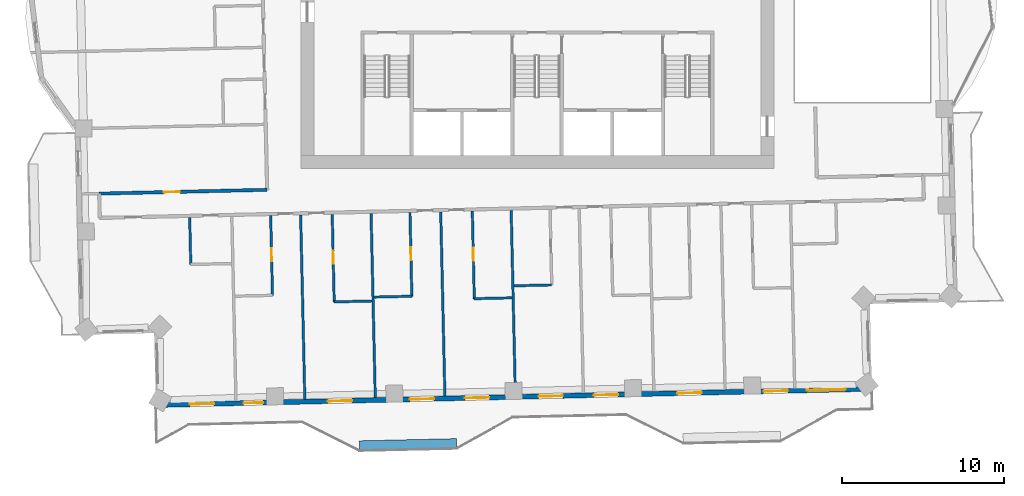
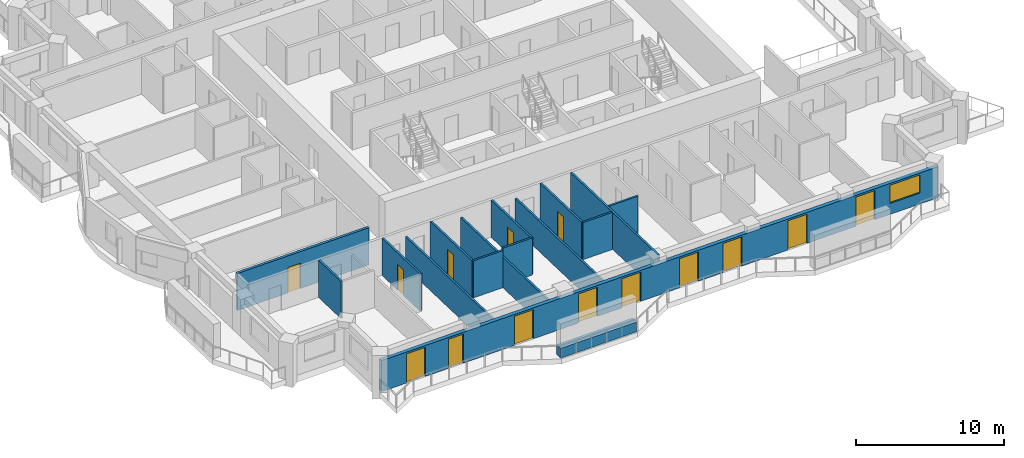
# One storey, part 6 of 17: 16 walls, 14 doors, 1 window, 15 openings.
"""IFC4 building model written with IfcOpenShell, lengths in metres."""

from ifc_helpers import new_model, si_unit, direction, frame, frame_2d, origin, place, context, subcontext, project, spatial, rectangle, extrude, material, layer, layer_set, type_object, element, fill, save


model = new_model("IFC4")

# Units and contexts
model_context = context("Model", 3, precision=1e-05, world=origin(), true_north=direction((0.0, 1.0)))
body_context = subcontext(model_context, "Body", "Model", "MODEL_VIEW")
ifc_project = project(units=[si_unit("LENGTHUNIT", "METRE"), si_unit("AREAUNIT", "SQUARE_METRE"), si_unit("VOLUMEUNIT", "CUBIC_METRE"), si_unit("PLANEANGLEUNIT", "RADIAN"), si_unit("MASSUNIT", "GRAM", prefix="KILO")], contexts=[model_context])

# Site, building, storey
site_placement = place(None, origin())
site = spatial("IfcSite", under=ifc_project, at=site_placement, CompositionType="ELEMENT")
building_placement = place(site_placement, origin())
building = spatial("IfcBuilding", under=site, at=building_placement, Name="Mangrove Gate Tower", CompositionType="ELEMENT")
storey_placement = place(building_placement, frame((0.0, 0.0, 249.10009765625)))
storey = spatial("IfcBuildingStorey", under=building, at=storey_placement, Name="L63", CompositionType="ELEMENT", Elevation=249.10009765625)

# Wall, opening, door
ifc_material_1 = material(Name="Gypsum board on steel stud, EI 60", Category="steel")
ifc_layer_1 = layer(ifc_material_1, 0.199951171875)
ifc_layer_set_1 = layer_set([ifc_layer_1], Name="Corridor wall EI 60")
wall_type_1 = type_object("IfcWallType", Name="Corridor wall EI 60", PredefinedType="PARTITIONING", material=ifc_layer_set_1)
wall_1_placement = place(storey_placement, frame((-27.050048828125, -13.14990234375, 0.0), z_axis=(0.0, 0.0, 1.0), x_axis=(0.999743679035, 0.022640146404, 0.0)))
wall_1 = element("IfcWall", 1, at=wall_1_placement, inside=storey, type_object=wall_type_1, Name="WALL-L63-036", PredefinedType="PARTITIONING", context=body_context, shape_type="SweptSolid", body=[
    extrude(rectangle(XDim=10.373779296875, YDim=0.199951171875, at=frame_2d((5.18701171875, 0.0))), origin(), (0.0, 0.0, 1.0), 3.0498046875),
])
opening_1_placement = place(wall_1_placement, frame((3.987060546875, 0.0, 0.0)))
opening_1 = element("IfcOpeningElement", 2, at=opening_1_placement, cuts=wall_1, Name="Opening AD", PredefinedType="OPENING", context=body_context, shape_type="SweptSolid", body=[
    extrude(rectangle(XDim=1.0, YDim=2.10009765625, at=frame_2d((0.5, 1.050048828125))), frame((0.0, 0.10986328125, 0.0), z_axis=(0.0, -1.0, 0.0), x_axis=(1.0, 0.0, 0.0)), (0.0, 0.0, 1.0), 0.219970703125),
])
ifc_material_2 = material(Name="Timber door leaf", Category="wood")
door_type_1 = type_object("IfcDoorType", Name="Amenity door 1000", OperationType="SINGLE_SWING_LEFT", PredefinedType="DOOR", material=ifc_material_2)
door_1_placement = place(opening_1_placement, origin())
door_1 = element("IfcDoor", 3, at=door_1_placement, inside=storey, type_object=door_type_1, Name="DOOR-L63-KIT-c5d", OperationType="SINGLE_SWING_LEFT", OverallHeight=2.10009765625, OverallWidth=1.0, PredefinedType="DOOR", context=body_context, shape_type="SweptSolid", body=[
    extrude(rectangle(XDim=1.0, YDim=2.10009765625, at=frame_2d((0.5, 1.050048828125))), frame((0.0, 0.02490234375, 0.0), z_axis=(0.0, -1.0, 0.0), x_axis=(1.0, 0.0, 0.0)), (0.0, 0.0, 1.0), 0.050048828125),
])
fill(opening_1, door_1)

# Wall, openings, doors, window
ifc_material_3 = material(Name="Limestone", Category="masonry")
ifc_layer_2 = layer(ifc_material_3, 0.0400390625, Name="Limestone cladding")
ifc_material_4 = material(Name="Ventilated air gap")
ifc_layer_3 = layer(ifc_material_4, 0.0400390625, Name="Ventilated cavity")
ifc_material_5 = material(Name="Mineral wool insulation")
ifc_layer_4 = layer(ifc_material_5, 0.06005859375, Name="Insulation")
ifc_material_6 = material(Name="Breather membrane")
ifc_layer_5 = layer(ifc_material_6, 0.001953125, Name="Breather membrane")
ifc_material_7 = material(Name="Concrete C20/25 blockwork", Category="masonry")
ifc_layer_6 = layer(ifc_material_7, 0.14990234375, Name="Blockwork backing wall")
ifc_material_8 = material(Name="Gypsum plaster")
ifc_layer_7 = layer(ifc_material_8, 0.008056640625, Name="Internal plaster")
ifc_layer_set_2 = layer_set([ifc_layer_2, ifc_layer_3, ifc_layer_4, ifc_layer_5, ifc_layer_6, ifc_layer_7], Name="External wall 300 limestone cladding")
wall_type_2 = type_object("IfcWallType", Name="External wall 300 limestone cladding", PredefinedType="SOLIDWALL", material=ifc_layer_set_2)
wall_2_placement = place(storey_placement, frame((-23.403076171875, -26.200927734375, 0.0), z_axis=(0.0, 0.0, 1.0), x_axis=(0.999742770494, 0.022680230258, 0.0)))
wall_2 = element("IfcWall", 4, at=wall_2_placement, inside=storey, type_object=wall_type_2, Name="WALL-L63-S13", PredefinedType="SOLIDWALL", context=body_context, shape_type="SweptSolid", body=[
    extrude(rectangle(XDim=43.908203125, YDim=0.300048828125, at=frame_2d((21.9541015625, 0.0))), origin(), (0.0, 0.0, 1.0), 2.5498046875),
])
opening_2_placement = place(wall_2_placement, frame((1.950927734375, 0.0, 0.0)))
opening_2 = element("IfcOpeningElement", 5, at=opening_2_placement, cuts=wall_2, Name="Opening BD1", PredefinedType="OPENING", context=body_context, shape_type="SweptSolid", body=[
    extrude(rectangle(XDim=1.5, YDim=2.39990234375, at=frame_2d((0.75, 1.199951171875))), frame((0.0, 0.159912109375, 0.0), z_axis=(0.0, -1.0, 0.0), x_axis=(1.0, 0.0, 0.0)), (0.0, 0.0, 1.0), 0.320068359375),
])
opening_3_placement = place(wall_2_placement, frame((5.27197265625, 0.0, 0.0)))
opening_3 = element("IfcOpeningElement", 6, at=opening_3_placement, cuts=wall_2, Name="Opening BD2", PredefinedType="OPENING", context=body_context, shape_type="SweptSolid", body=[
    extrude(rectangle(XDim=1.199951171875, YDim=2.39990234375, at=frame_2d((0.60009765625, 1.199951171875))), frame((0.0, 0.159912109375, 0.0), z_axis=(0.0, -1.0, 0.0), x_axis=(1.0, 0.0, 0.0)), (0.0, 0.0, 1.0), 0.320068359375),
])
opening_4_placement = place(wall_2_placement, frame((10.47509765625, 0.0, 0.0)))
opening_4 = element("IfcOpeningElement", 7, at=opening_4_placement, cuts=wall_2, Name="Opening BD1", PredefinedType="OPENING", context=body_context, shape_type="SweptSolid", body=[
    extrude(rectangle(XDim=1.5, YDim=2.39990234375, at=frame_2d((0.75, 1.199951171875))), frame((0.0, 0.159912109375, 0.0), z_axis=(0.0, -1.0, 0.0), x_axis=(1.0, 0.0, 0.0)), (0.0, 0.0, 1.0), 0.320068359375),
])
opening_5_placement = place(wall_2_placement, frame((15.530029296875, 0.0, 0.0)))
opening_5 = element("IfcOpeningElement", 8, at=opening_5_placement, cuts=wall_2, Name="Opening BD1", PredefinedType="OPENING", context=body_context, shape_type="SweptSolid", body=[
    extrude(rectangle(XDim=1.5, YDim=2.39990234375, at=frame_2d((0.75, 1.199951171875))), frame((0.0, 0.159912109375, 0.0), z_axis=(0.0, -1.0, 0.0), x_axis=(1.0, 0.0, 0.0)), (0.0, 0.0, 1.0), 0.320068359375),
])
opening_6_placement = place(wall_2_placement, frame((18.93896484375, 0.0, 0.0)))
opening_6 = element("IfcOpeningElement", 9, at=opening_6_placement, cuts=wall_2, Name="Opening BD1", PredefinedType="OPENING", context=body_context, shape_type="SweptSolid", body=[
    extrude(rectangle(XDim=1.5, YDim=2.39990234375, at=frame_2d((0.75, 1.199951171875))), frame((0.0, 0.159912109375, 0.0), z_axis=(0.0, -1.0, 0.0), x_axis=(1.0, 0.0, 0.0)), (0.0, 0.0, 1.0), 0.320068359375),
])
opening_7_placement = place(wall_2_placement, frame((23.489013671875, 0.0, 0.0)))
opening_7 = element("IfcOpeningElement", 10, at=opening_7_placement, cuts=wall_2, Name="Opening BD1", PredefinedType="OPENING", context=body_context, shape_type="SweptSolid", body=[
    extrude(rectangle(XDim=1.5, YDim=2.39990234375, at=frame_2d((0.75, 1.199951171875))), frame((0.0, 0.159912109375, 0.0), z_axis=(0.0, -1.0, 0.0), x_axis=(1.0, 0.0, 0.0)), (0.0, 0.0, 1.0), 0.320068359375),
])
opening_8_placement = place(wall_2_placement, frame((26.89794921875, 0.0, 0.0)))
opening_8 = element("IfcOpeningElement", 11, at=opening_8_placement, cuts=wall_2, Name="Opening BD1", PredefinedType="OPENING", context=body_context, shape_type="SweptSolid", body=[
    extrude(rectangle(XDim=1.5, YDim=2.39990234375, at=frame_2d((0.75, 1.199951171875))), frame((0.0, 0.159912109375, 0.0), z_axis=(0.0, -1.0, 0.0), x_axis=(1.0, 0.0, 0.0)), (0.0, 0.0, 1.0), 0.320068359375),
])
opening_9_placement = place(wall_2_placement, frame((32.050048828125, 0.0, 0.0)))
opening_9 = element("IfcOpeningElement", 12, at=opening_9_placement, cuts=wall_2, Name="Opening BD1", PredefinedType="OPENING", context=body_context, shape_type="SweptSolid", body=[
    extrude(rectangle(XDim=1.5, YDim=2.39990234375, at=frame_2d((0.75, 1.199951171875))), frame((0.0, 0.159912109375, 0.0), z_axis=(0.0, -1.0, 0.0), x_axis=(1.0, 0.0, 0.0)), (0.0, 0.0, 1.0), 0.320068359375),
])
opening_10_placement = place(wall_2_placement, frame((37.382080078125, 0.0, 0.0)))
opening_10 = element("IfcOpeningElement", 13, at=opening_10_placement, cuts=wall_2, Name="Opening BD1", PredefinedType="OPENING", context=body_context, shape_type="SweptSolid", body=[
    extrude(rectangle(XDim=1.5, YDim=2.39990234375, at=frame_2d((0.75, 1.199951171875))), frame((0.0, 0.159912109375, 0.0), z_axis=(0.0, -1.0, 0.0), x_axis=(1.0, 0.0, 0.0)), (0.0, 0.0, 1.0), 0.320068359375),
])
opening_11_placement = place(wall_2_placement, frame((40.056884765625, 0.0, 0.89990234375)))
opening_11 = element("IfcOpeningElement", 14, at=opening_11_placement, cuts=wall_2, Name="Opening W2", PredefinedType="OPENING", context=body_context, shape_type="SweptSolid", body=[
    extrude(rectangle(XDim=2.39990234375, YDim=1.5, at=frame_2d((1.199951171875, 0.75))), frame((0.0, 0.159912109375, 0.0), z_axis=(0.0, -1.0, 0.0), x_axis=(1.0, 0.0, 0.0)), (0.0, 0.0, 1.0), 0.320068359375),
])
ifc_material_9 = material(Name="Aluminium frame with laminated clear glass", Category="aluminium")
door_type_2 = type_object("IfcDoorType", Name="Balcony sliding door 1200x2400", OperationType="SLIDING_TO_LEFT", PredefinedType="DOOR", material=ifc_material_9)
door_2_placement = place(opening_3_placement, origin())
door_2 = element("IfcDoor", 15, at=door_2_placement, inside=storey, type_object=door_type_2, Name="DOOR-L63-S13-2", OperationType="SLIDING_TO_LEFT", OverallHeight=2.39990234375, OverallWidth=1.199951171875, PredefinedType="DOOR", context=body_context, shape_type="SweptSolid", body=[
    extrude(rectangle(XDim=1.199951171875, YDim=2.39990234375, at=frame_2d((0.60009765625, 1.199951171875))), frame((0.0, 0.02490234375, 0.0), z_axis=(0.0, -1.0, 0.0), x_axis=(1.0, 0.0, 0.0)), (0.0, 0.0, 1.0), 0.050048828125),
])
fill(opening_3, door_2)
ifc_material_10 = material(Name="Aluminium frame with laminated clear glass", Category="aluminium")
door_type_3 = type_object("IfcDoorType", Name="Balcony sliding door 1500x2400", OperationType="SLIDING_TO_LEFT", PredefinedType="DOOR", material=ifc_material_10)
door_3_placement = place(opening_2_placement, origin())
door_3 = element("IfcDoor", 16, at=door_3_placement, inside=storey, type_object=door_type_3, Name="DOOR-L63-S13-1", OperationType="SLIDING_TO_LEFT", OverallHeight=2.39990234375, OverallWidth=1.5, PredefinedType="DOOR", context=body_context, shape_type="SweptSolid", body=[
    extrude(rectangle(XDim=1.5, YDim=2.39990234375, at=frame_2d((0.75, 1.199951171875))), frame((0.0, 0.02490234375, 0.0), z_axis=(0.0, -1.0, 0.0), x_axis=(1.0, 0.0, 0.0)), (0.0, 0.0, 1.0), 0.050048828125),
])
fill(opening_2, door_3)
door_4_placement = place(opening_4_placement, origin())
door_4 = element("IfcDoor", 17, at=door_4_placement, inside=storey, type_object=door_type_3, Name="DOOR-L63-S13-3", OperationType="SLIDING_TO_LEFT", OverallHeight=2.39990234375, OverallWidth=1.5, PredefinedType="DOOR", context=body_context, shape_type="SweptSolid", body=[
    extrude(rectangle(XDim=1.5, YDim=2.39990234375, at=frame_2d((0.75, 1.199951171875))), frame((0.0, 0.02490234375, 0.0), z_axis=(0.0, -1.0, 0.0), x_axis=(1.0, 0.0, 0.0)), (0.0, 0.0, 1.0), 0.050048828125),
])
fill(opening_4, door_4)
door_5_placement = place(opening_5_placement, origin())
door_5 = element("IfcDoor", 18, at=door_5_placement, inside=storey, type_object=door_type_3, Name="DOOR-L63-S13-4", OperationType="SLIDING_TO_LEFT", OverallHeight=2.39990234375, OverallWidth=1.5, PredefinedType="DOOR", context=body_context, shape_type="SweptSolid", body=[
    extrude(rectangle(XDim=1.5, YDim=2.39990234375, at=frame_2d((0.75, 1.199951171875))), frame((0.0, 0.02490234375, 0.0), z_axis=(0.0, -1.0, 0.0), x_axis=(1.0, 0.0, 0.0)), (0.0, 0.0, 1.0), 0.050048828125),
])
fill(opening_5, door_5)
door_6_placement = place(opening_6_placement, origin())
door_6 = element("IfcDoor", 19, at=door_6_placement, inside=storey, type_object=door_type_3, Name="DOOR-L63-S13-5", OperationType="SLIDING_TO_LEFT", OverallHeight=2.39990234375, OverallWidth=1.5, PredefinedType="DOOR", context=body_context, shape_type="SweptSolid", body=[
    extrude(rectangle(XDim=1.5, YDim=2.39990234375, at=frame_2d((0.75, 1.199951171875))), frame((0.0, 0.02490234375, 0.0), z_axis=(0.0, -1.0, 0.0), x_axis=(1.0, 0.0, 0.0)), (0.0, 0.0, 1.0), 0.050048828125),
])
fill(opening_6, door_6)
door_7_placement = place(opening_7_placement, origin())
door_7 = element("IfcDoor", 20, at=door_7_placement, inside=storey, type_object=door_type_3, Name="DOOR-L63-S13-6", OperationType="SLIDING_TO_LEFT", OverallHeight=2.39990234375, OverallWidth=1.5, PredefinedType="DOOR", context=body_context, shape_type="SweptSolid", body=[
    extrude(rectangle(XDim=1.5, YDim=2.39990234375, at=frame_2d((0.75, 1.199951171875))), frame((0.0, 0.02490234375, 0.0), z_axis=(0.0, -1.0, 0.0), x_axis=(1.0, 0.0, 0.0)), (0.0, 0.0, 1.0), 0.050048828125),
])
fill(opening_7, door_7)
door_8_placement = place(opening_8_placement, origin())
door_8 = element("IfcDoor", 21, at=door_8_placement, inside=storey, type_object=door_type_3, Name="DOOR-L63-S13-7", OperationType="SLIDING_TO_LEFT", OverallHeight=2.39990234375, OverallWidth=1.5, PredefinedType="DOOR", context=body_context, shape_type="SweptSolid", body=[
    extrude(rectangle(XDim=1.5, YDim=2.39990234375, at=frame_2d((0.75, 1.199951171875))), frame((0.0, 0.02490234375, 0.0), z_axis=(0.0, -1.0, 0.0), x_axis=(1.0, 0.0, 0.0)), (0.0, 0.0, 1.0), 0.050048828125),
])
fill(opening_8, door_8)
door_9_placement = place(opening_9_placement, origin())
door_9 = element("IfcDoor", 22, at=door_9_placement, inside=storey, type_object=door_type_3, Name="DOOR-L63-S13-8", OperationType="SLIDING_TO_LEFT", OverallHeight=2.39990234375, OverallWidth=1.5, PredefinedType="DOOR", context=body_context, shape_type="SweptSolid", body=[
    extrude(rectangle(XDim=1.5, YDim=2.39990234375, at=frame_2d((0.75, 1.199951171875))), frame((0.0, 0.02490234375, 0.0), z_axis=(0.0, -1.0, 0.0), x_axis=(1.0, 0.0, 0.0)), (0.0, 0.0, 1.0), 0.050048828125),
])
fill(opening_9, door_9)
door_10_placement = place(opening_10_placement, origin())
door_10 = element("IfcDoor", 23, at=door_10_placement, inside=storey, type_object=door_type_3, Name="DOOR-L63-S13-9", OperationType="SLIDING_TO_LEFT", OverallHeight=2.39990234375, OverallWidth=1.5, PredefinedType="DOOR", context=body_context, shape_type="SweptSolid", body=[
    extrude(rectangle(XDim=1.5, YDim=2.39990234375, at=frame_2d((0.75, 1.199951171875))), frame((0.0, 0.02490234375, 0.0), z_axis=(0.0, -1.0, 0.0), x_axis=(1.0, 0.0, 0.0)), (0.0, 0.0, 1.0), 0.050048828125),
])
fill(opening_10, door_10)
ifc_material_11 = material(Name="Aluminium frame with double-glazed low-e glass", Category="aluminium")
window_type = type_object("IfcWindowType", Name="Corner room window 2400x1500", PartitioningType="DOUBLE_PANEL_VERTICAL", PredefinedType="WINDOW", material=ifc_material_11)
window_placement = place(opening_11_placement, origin())
window = element("IfcWindow", 24, at=window_placement, inside=storey, type_object=window_type, Name="WIN-L63-S13-10", OverallHeight=1.5, OverallWidth=2.39990234375, PartitioningType="DOUBLE_PANEL_VERTICAL", PredefinedType="WINDOW", context=body_context, shape_type="SweptSolid", body=[
    extrude(rectangle(XDim=2.39990234375, YDim=1.5, at=frame_2d((1.199951171875, 0.75))), frame((0.0, 0.030029296875, 0.0), z_axis=(0.0, -1.0, 0.0), x_axis=(1.0, 0.0, 0.0)), (0.0, 0.0, 1.0), 0.06005859375),
])
fill(opening_11, window)

# Walls
ifc_material_12 = material(Name="Gypsum board on steel stud, EI 60", Category="steel")
ifc_layer_8 = layer(ifc_material_12, 0.14990234375)
ifc_layer_set_3 = layer_set([ifc_layer_8], Name="Party wall 150 EI 60")
wall_type_3 = type_object("IfcWallType", Name="Party wall 150 EI 60", PredefinedType="PARTITIONING", material=ifc_layer_set_3)
for number, where, z_axis, x_axis, name in (
    (25, (-14.35400390625, -25.845947265625, 0.0), (0.0, 0.0, 1.0), (-0.022684355347, 0.999742676904, 0.0), "WALL-L63-002"),
    (26, (-10.0048828125, -25.7470703125, 0.0), (0.0, 0.0, 1.0), (-0.022770155219, 0.999740726404, 0.0), "WALL-L63-003"),
    (27, (-5.70703125, -25.64892578125, 0.0), (0.0, 0.0, 1.0), (-0.022684355347, 0.999742676904, 0.0), "WALL-L63-004"),
):
    element("IfcWall", number, at=place(storey_placement, frame(where, z_axis=z_axis, x_axis=x_axis)), inside=storey, type_object=wall_type_3, Name=name, PredefinedType="PARTITIONING", context=body_context, shape_type="SweptSolid", body=[
        extrude(rectangle(XDim=11.3759765625, YDim=0.14990234375, at=frame_2d((5.68798828125, 0.0))), origin(), (0.0, 0.0, 1.0), 2.5),
    ])
wall_3_placement = place(storey_placement, frame((-1.35791015625, -25.551025390625, 0.0), z_axis=(0.0, 0.0, 1.0), x_axis=(-0.022684355347, 0.999742676904, 0.0)))
element("IfcWall", 28, at=wall_3_placement, inside=storey, type_object=wall_type_3, Name="WALL-L63-005", PredefinedType="PARTITIONING", context=body_context, shape_type="SweptSolid", body=[
    extrude(rectangle(XDim=11.3759765625, YDim=0.14990234375, at=frame_2d((5.68798828125, 0.0))), origin(), (0.0, 0.0, 1.0), 3.0498046875),
])

# Wall, opening, door
wall_4_placement = place(storey_placement, frame((-12.5400390625, -19.8369140625, 0.0), z_axis=(0.0, 0.0, 1.0), x_axis=(-0.022742931096, 0.999741346092, 0.0)))
wall_4 = element("IfcWall", 29, at=wall_4_placement, inside=storey, type_object=wall_type_3, Name="WALL-L63-012", PredefinedType="PARTITIONING", context=body_context, shape_type="SweptSolid", body=[
    extrude(rectangle(XDim=5.410400390625, YDim=0.14990234375, at=frame_2d((2.705078125, 0.0))), origin(), (0.0, 0.0, 1.0), 3.0498046875),
])
opening_12_placement = place(wall_4_placement, frame((2.35498046875, 0.0, 0.0)))
opening_12 = element("IfcOpeningElement", 30, at=opening_12_placement, cuts=wall_4, Name="Opening ED", PredefinedType="OPENING", context=body_context, shape_type="SweptSolid", body=[
    extrude(rectangle(XDim=0.800048828125, YDim=2.10009765625, at=frame_2d((0.39990234375, 1.050048828125))), frame((0.0, 0.0849609375, 0.0), z_axis=(0.0, -1.0, 0.0), x_axis=(1.0, 0.0, 0.0)), (0.0, 0.0, 1.0), 0.169921875),
])
ifc_material_13 = material(Name="Timber door leaf", Category="wood")
door_type_4 = type_object("IfcDoorType", Name="En-suite door 800", OperationType="SINGLE_SWING_LEFT", PredefinedType="DOOR", material=ifc_material_13)
door_11_placement = place(opening_12_placement, origin())
door_11 = element("IfcDoor", 31, at=door_11_placement, inside=storey, type_object=door_type_4, Name="DOOR-L63-ENS-c102", OperationType="SINGLE_SWING_RIGHT", OverallHeight=2.10009765625, OverallWidth=0.800048828125, PredefinedType="DOOR", context=body_context, shape_type="SweptSolid", body=[
    extrude(rectangle(XDim=0.800048828125, YDim=2.10009765625, at=frame_2d((0.39990234375, 1.050048828125))), frame((0.0, 0.02490234375, 0.0), z_axis=(0.0, -1.0, 0.0), x_axis=(1.0, 0.0, 0.0)), (0.0, 0.0, 1.0), 0.050048828125),
])
fill(opening_12, door_11)

wall_5_placement = place(storey_placement, frame((-3.89208984375, -19.64111328125, 0.0), z_axis=(0.0, 0.0, 1.0), x_axis=(-0.022696805576, 0.999742394328, 0.0)))
wall_5 = element("IfcWall", 32, at=wall_5_placement, inside=storey, type_object=wall_type_3, Name="WALL-L63-013", PredefinedType="PARTITIONING", context=body_context, shape_type="SweptSolid", body=[
    extrude(rectangle(XDim=5.41064453125, YDim=0.14990234375, at=frame_2d((2.705322265625, 0.0))), origin(), (0.0, 0.0, 1.0), 3.0498046875),
])
opening_13_placement = place(wall_5_placement, frame((2.35498046875, 0.0, 0.0)))
opening_13 = element("IfcOpeningElement", 33, at=opening_13_placement, cuts=wall_5, Name="Opening ED", PredefinedType="OPENING", context=body_context, shape_type="SweptSolid", body=[
    extrude(rectangle(XDim=0.800048828125, YDim=2.10009765625, at=frame_2d((0.39990234375, 1.050048828125))), frame((0.0, 0.0849609375, 0.0), z_axis=(0.0, -1.0, 0.0), x_axis=(1.0, 0.0, 0.0)), (0.0, 0.0, 1.0), 0.169921875),
])
door_12_placement = place(opening_13_placement, origin())
door_12 = element("IfcDoor", 34, at=door_12_placement, inside=storey, type_object=door_type_4, Name="DOOR-L63-ENS-c104", OperationType="SINGLE_SWING_RIGHT", OverallHeight=2.10009765625, OverallWidth=0.800048828125, PredefinedType="DOOR", context=body_context, shape_type="SweptSolid", body=[
    extrude(rectangle(XDim=0.800048828125, YDim=2.10009765625, at=frame_2d((0.39990234375, 1.050048828125))), frame((0.0, 0.02490234375, 0.0), z_axis=(0.0, -1.0, 0.0), x_axis=(1.0, 0.0, 0.0)), (0.0, 0.0, 1.0), 0.050048828125),
])
fill(opening_13, door_12)

# Walls
wall_6_placement = place(storey_placement, frame((-12.5439453125, -19.8330078125, 0.0), z_axis=(0.0, 0.0, 1.0), x_axis=(0.999740260747, 0.02279059109, 0.0)))
element("IfcWall", 35, at=wall_6_placement, inside=storey, type_object=wall_type_3, Name="WALL-L63-015", PredefinedType="PARTITIONING", context=body_context, shape_type="SweptSolid", body=[
    extrude(rectangle(XDim=2.324462890625, YDim=0.14990234375, at=frame_2d((1.162109375, 0.0))), origin(), (0.0, 0.0, 1.0), 3.0498046875),
])
wall_7_placement = place(storey_placement, frame((-3.89697265625, -19.636962890625, 0.0), z_axis=(0.0, 0.0, 1.0), x_axis=(0.999740478815, 0.022781023197, 0.0)))
element("IfcWall", 36, at=wall_7_placement, inside=storey, type_object=wall_type_3, Name="WALL-L63-016", PredefinedType="PARTITIONING", context=body_context, shape_type="SweptSolid", body=[
    extrude(rectangle(XDim=2.325439453125, YDim=0.14990234375, at=frame_2d((1.16259765625, 0.0))), origin(), (0.0, 0.0, 1.0), 3.0498046875),
])

# Wall, opening, door
wall_8_placement = place(storey_placement, frame((-7.7470703125, -19.488037109375, 0.0), z_axis=(0.0, 0.0, 1.0), x_axis=(-0.022618432726, 0.999744170526, 0.0)))
wall_8 = element("IfcWall", 37, at=wall_8_placement, inside=storey, type_object=wall_type_3, Name="WALL-L63-018", PredefinedType="PARTITIONING", context=body_context, shape_type="SweptSolid", body=[
    extrude(rectangle(XDim=5.170166015625, YDim=0.14990234375, at=frame_2d((2.5849609375, 0.0))), origin(), (0.0, 0.0, 1.0), 3.0498046875),
])
opening_14_placement = place(wall_8_placement, frame((2.235107421875, 0.0, 0.0)))
opening_14 = element("IfcOpeningElement", 38, at=opening_14_placement, cuts=wall_8, Name="Opening ED", PredefinedType="OPENING", context=body_context, shape_type="SweptSolid", body=[
    extrude(rectangle(XDim=0.800048828125, YDim=2.10009765625, at=frame_2d((0.39990234375, 1.050048828125))), frame((0.0, 0.0849609375, 0.0), z_axis=(0.0, -1.0, 0.0), x_axis=(1.0, 0.0, 0.0)), (0.0, 0.0, 1.0), 0.169921875),
])
door_13_placement = place(opening_14_placement, origin())
door_13 = element("IfcDoor", 39, at=door_13_placement, inside=storey, type_object=door_type_4, Name="DOOR-L63-ENS-c103", OperationType="SINGLE_SWING_LEFT", OverallHeight=2.10009765625, OverallWidth=0.800048828125, PredefinedType="DOOR", context=body_context, shape_type="SweptSolid", body=[
    extrude(rectangle(XDim=0.800048828125, YDim=2.10009765625, at=frame_2d((0.39990234375, 1.050048828125))), frame((0.0, 0.02490234375, 0.0), z_axis=(0.0, -1.0, 0.0), x_axis=(1.0, 0.0, 0.0)), (0.0, 0.0, 1.0), 0.050048828125),
])
fill(opening_14, door_13)

# Wall
wall_9_placement = place(storey_placement, frame((-10.074951171875, -19.537109375, 0.0), z_axis=(0.0, 0.0, 1.0), x_axis=(0.999737862264, 0.022895561926, 0.0)))
element("IfcWall", 40, at=wall_9_placement, inside=storey, type_object=wall_type_3, Name="WALL-L63-020", PredefinedType="PARTITIONING", context=body_context, shape_type="SweptSolid", body=[
    extrude(rectangle(XDim=2.324462890625, YDim=0.14990234375, at=frame_2d((1.162109375, 0.0))), origin(), (0.0, 0.0, 1.0), 3.0498046875),
])

# Wall, opening, door
wall_10_placement = place(storey_placement, frame((-16.35009765625, -19.43310546875, 0.0), z_axis=(0.0, 0.0, 1.0), x_axis=(-0.022724786614, 0.999741758692, 0.0)))
wall_10 = element("IfcWall", 41, at=wall_10_placement, inside=storey, type_object=wall_type_3, Name="WALL-L63-022", PredefinedType="PARTITIONING", context=body_context, shape_type="SweptSolid", body=[
    extrude(rectangle(XDim=4.92041015625, YDim=0.14990234375, at=frame_2d((2.460205078125, 0.0))), origin(), (0.0, 0.0, 1.0), 3.0498046875),
])
opening_15_placement = place(wall_10_placement, frame((2.110107421875, 0.0, 0.0)))
opening_15 = element("IfcOpeningElement", 42, at=opening_15_placement, cuts=wall_10, Name="Opening ED", PredefinedType="OPENING", context=body_context, shape_type="SweptSolid", body=[
    extrude(rectangle(XDim=0.800048828125, YDim=2.10009765625, at=frame_2d((0.39990234375, 1.050048828125))), frame((0.0, 0.0849609375, 0.0), z_axis=(0.0, -1.0, 0.0), x_axis=(1.0, 0.0, 0.0)), (0.0, 0.0, 1.0), 0.169921875),
])
door_14_placement = place(opening_15_placement, origin())
door_14 = element("IfcDoor", 43, at=door_14_placement, inside=storey, type_object=door_type_4, Name="DOOR-L63-ENS-c101", OperationType="SINGLE_SWING_LEFT", OverallHeight=2.10009765625, OverallWidth=0.800048828125, PredefinedType="DOOR", context=body_context, shape_type="SweptSolid", body=[
    extrude(rectangle(XDim=0.800048828125, YDim=2.10009765625, at=frame_2d((0.39990234375, 1.050048828125))), frame((0.0, 0.02490234375, 0.0), z_axis=(0.0, -1.0, 0.0), x_axis=(1.0, 0.0, 0.0)), (0.0, 0.0, 1.0), 0.050048828125),
])
fill(opening_15, door_14)

# Walls
wall_11_placement = place(storey_placement, frame((-1.43896484375, -18.841064453125, 0.0), z_axis=(0.0, 0.0, 1.0), x_axis=(0.999740260747, 0.02279059109, 0.0)))
element("IfcWall", 44, at=wall_11_placement, inside=storey, type_object=wall_type_3, Name="WALL-L63-025", PredefinedType="PARTITIONING", context=body_context, shape_type="SweptSolid", body=[
    extrude(rectangle(XDim=2.324462890625, YDim=0.14990234375, at=frame_2d((1.162109375, 0.0))), origin(), (0.0, 0.0, 1.0), 3.0498046875),
])
wall_12_placement = place(storey_placement, frame((-21.39501953125, -17.527099609375, 0.0), z_axis=(0.0, 0.0, 1.0), x_axis=(-0.022730967319, 0.999741618182, 0.0)))
element("IfcWall", 45, at=wall_12_placement, inside=storey, type_object=wall_type_3, Name="WALL-L63-026", PredefinedType="PARTITIONING", context=body_context, shape_type="SweptSolid", body=[
    extrude(rectangle(XDim=2.89990234375, YDim=0.14990234375, at=frame_2d((1.449951171875, 0.0))), origin(), (0.0, 0.0, 1.0), 3.0498046875),
])
ifc_material_14 = material(Name="Concrete C32/40", Category="concrete")
ifc_layer_9 = layer(ifc_material_14, 0.199951171875, Name="Planter trough wall")
ifc_material_15 = material(Name="Bituminous waterproofing membrane")
ifc_layer_10 = layer(ifc_material_15, 0.0048828125, Name="Waterproofing")
ifc_material_16 = material(Name="Drainage board and gravel")
ifc_layer_11 = layer(ifc_material_16, 0.044921875, Name="Drainage layer")
ifc_material_17 = material(Name="Planting soil")
ifc_layer_12 = layer(ifc_material_17, 0.300048828125, Name="Growing medium")
ifc_layer_set_4 = layer_set([ifc_layer_9, ifc_layer_10, ifc_layer_11, ifc_layer_12], Name="Planter wall 550 C32/40")
wall_type_4 = type_object("IfcWallType", Name="Planter wall 550 C32/40", PredefinedType="USERDEFINED", material=ifc_layer_set_4)
wall_13_placement = place(storey_placement, frame((-10.989013671875, -28.68505859375, 0.0), z_axis=(0.0, 0.0, 1.0), x_axis=(0.999743178102, 0.022662255828, 0.0)))
element("IfcWall", 46, at=wall_13_placement, inside=storey, type_object=wall_type_4, Name="PLANTER L63 S0.1", ObjectType="PLANTER", PredefinedType="USERDEFINED", context=body_context, shape_type="SweptSolid", body=[
    extrude(rectangle(XDim=6.00048828125, YDim=0.550048828125, at=frame_2d((3.000244140625, 0.0))), origin(), (0.0, 0.0, 1.0), 0.7998046875),
])

save(model, "model.ifc")
